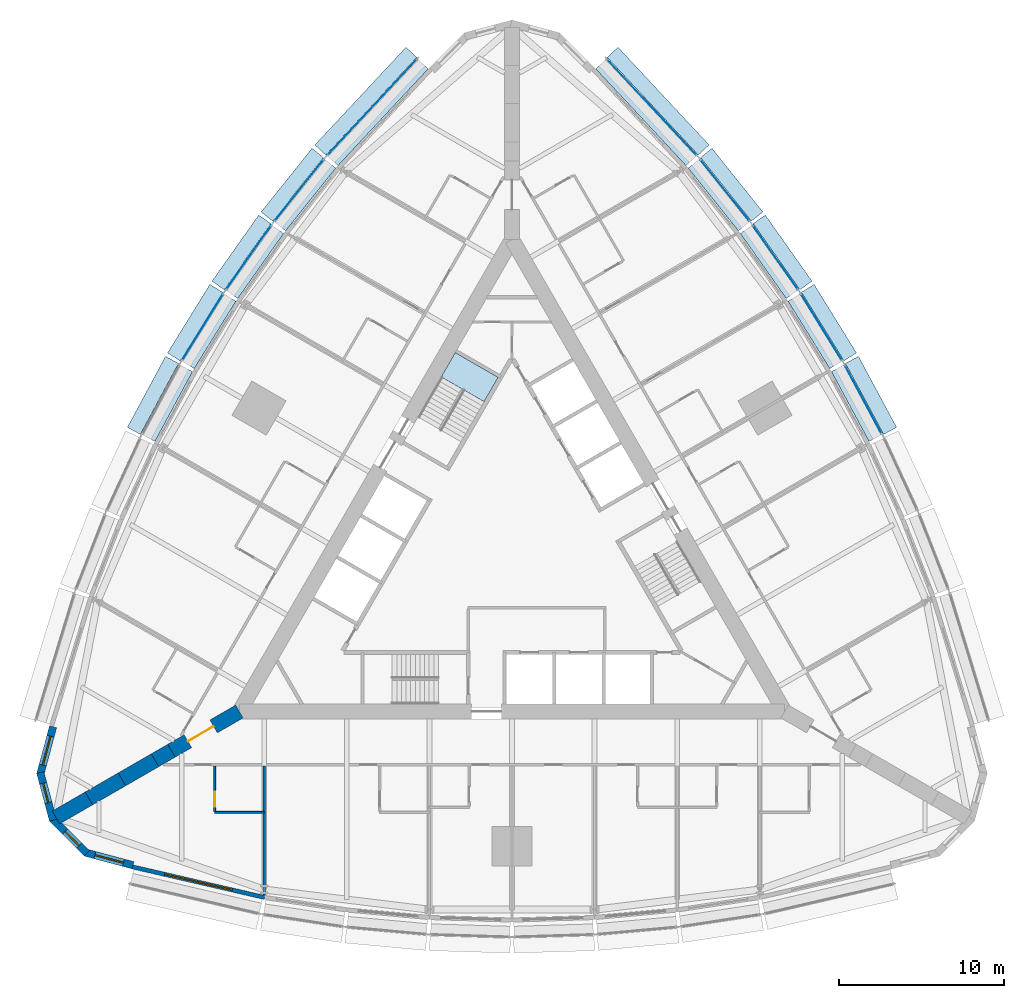
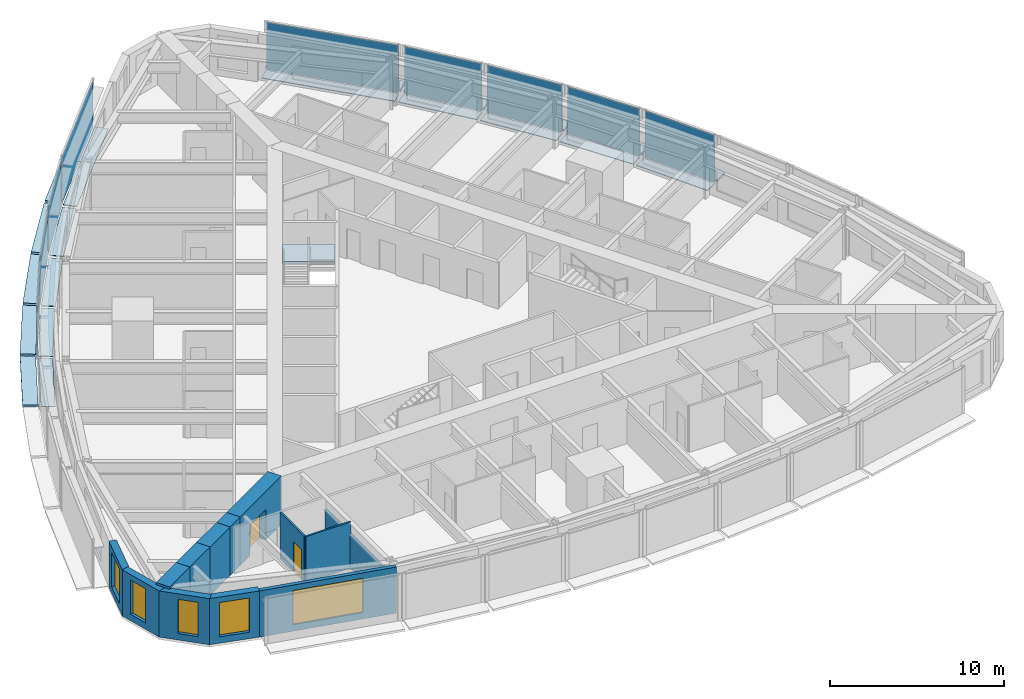
# One storey, part 7 of 14: 29 plates, 13 walls, 5 windows, 2 doors, 1 slab, 7 openings, 10 elements without a shape of their own.
"""IFC4 building model written with IfcOpenShell, lengths in metres."""

from ifc_helpers import new_model, si_unit, direction, frame, frame_2d, origin, origin_2d, place, context, subcontext, project, spatial, polyline, rectangle, outline, extrude, material, layer, layer_set, type_object, element, fill, aggregate, save


model = new_model("IFC4")

# Units and contexts
model_context = context("Model", 3, precision=1e-05, world=origin(), true_north=direction((0.0, 1.0)))
body_context = subcontext(model_context, "Body", "Model", "MODEL_VIEW")
ifc_project = project(units=[si_unit("LENGTHUNIT", "METRE"), si_unit("AREAUNIT", "SQUARE_METRE"), si_unit("VOLUMEUNIT", "CUBIC_METRE"), si_unit("PLANEANGLEUNIT", "RADIAN"), si_unit("MASSUNIT", "GRAM", prefix="KILO")], contexts=[model_context])

# Site, building, storey
site_placement = place(None, origin())
site = spatial("IfcSite", under=ifc_project, at=site_placement, CompositionType="ELEMENT")
building_placement = place(site_placement, origin())
building = spatial("IfcBuilding", under=site, at=building_placement, Name="Trikona Tower", CompositionType="ELEMENT")
storey_placement = place(building_placement, frame((0.0, 0.0, 89.699951171875)))
storey = spatial("IfcBuildingStorey", under=building, at=storey_placement, Name="L23", CompositionType="ELEMENT", Elevation=89.699951171875)

# Plates
ifc_material_1 = material(Name="Aluminium bar grating", Category="aluminium")
ifc_layer_1 = layer(ifc_material_1, 0.050048828125)
ifc_layer_set_1 = layer_set([ifc_layer_1], Name="Cavity catwalk grating")
plate_type_1 = type_object("IfcPlateType", Name="Cavity catwalk grating", PredefinedType="USERDEFINED", material=ifc_layer_set_1)
for number, where, z_axis, x_axis, name in (
    (1, (20.833740234375, 9.127197265625, -0.0498046875), (0.0, 0.0, 1.0), (-0.473422672721, 0.880835383572, 0.0), "Cavity catwalk L23-15"),
    (2, (18.3212890625, 13.47900390625, -0.0498046875), (0.0, 0.0, 1.0), (-0.526118935114, 0.85041099835, 0.0), "Cavity catwalk L23-16"),
):
    element("IfcPlate", number, at=place(storey_placement, frame(where, z_axis=z_axis, x_axis=x_axis)), inside=storey, type_object=plate_type_1, Name=name, ObjectType="CATWALK GRATING", PredefinedType="USERDEFINED", context=body_context, shape_type="SweptSolid", body=[
        extrude(rectangle(XDim=4.80224609375, YDim=0.820068359375, at=origin_2d()), origin(), (0.0, 0.0, 1.0), 0.050048828125),
    ])
plate_1_placement = place(storey_placement, frame((15.544189453125, 17.677734375, -0.0498046875), z_axis=(0.0, 0.0, 1.0), x_axis=(-0.576661909499, 0.816982889743, 0.0)))
element("IfcPlate", 3, at=plate_1_placement, inside=storey, type_object=plate_type_1, Name="Cavity catwalk L23-17", ObjectType="CATWALK GRATING", PredefinedType="USERDEFINED", context=body_context, shape_type="SweptSolid", body=[
    extrude(rectangle(XDim=4.82080078125, YDim=0.820068359375, at=origin_2d()), origin(), (0.0, 0.0, 1.0), 0.050048828125),
])
plate_2_placement = place(storey_placement, frame((12.502197265625, 21.72314453125, -0.0498046875), z_axis=(0.0, 0.0, 1.0), x_axis=(-0.624603618277, 0.780941944087, 0.0)))
element("IfcPlate", 4, at=plate_2_placement, inside=storey, type_object=plate_type_1, Name="Cavity catwalk L23-18", ObjectType="CATWALK GRATING", PredefinedType="USERDEFINED", context=body_context, shape_type="SweptSolid", body=[
    extrude(rectangle(XDim=4.857666015625, YDim=0.820068359375, at=origin_2d()), origin(), (0.0, 0.0, 1.0), 0.050048828125),
])
for number, where, z_axis, x_axis, name in (
    (5, (8.10107421875, 26.72314453125, -0.0498046875), (0.0, 0.0, 1.0), (-0.682298269147, 0.731073916864, 0.0), "Cavity catwalk L23-19"),
    (6, (-8.10107421875, 26.72314453125, -0.0498046875), (0.0, 0.0, 1.0), (-0.682298269147, -0.731073916864, 0.0), "Cavity catwalk L23-24"),
):
    element("IfcPlate", number, at=place(storey_placement, frame(where, z_axis=z_axis, x_axis=x_axis)), inside=storey, type_object=plate_type_1, Name=name, ObjectType="CATWALK GRATING", PredefinedType="USERDEFINED", context=body_context, shape_type="SweptSolid", body=[
        extrude(rectangle(XDim=8.01123046875, YDim=0.820068359375, at=origin_2d()), origin(), (0.0, 0.0, 1.0), 0.050048828125),
    ])
plate_3_placement = place(storey_placement, frame((-12.502197265625, 21.72314453125, -0.0498046875), z_axis=(0.0, 0.0, 1.0), x_axis=(-0.624603618277, -0.780941944087, 0.0)))
element("IfcPlate", 7, at=plate_3_placement, inside=storey, type_object=plate_type_1, Name="Cavity catwalk L23-25", ObjectType="CATWALK GRATING", PredefinedType="USERDEFINED", context=body_context, shape_type="SweptSolid", body=[
    extrude(rectangle(XDim=4.857666015625, YDim=0.820068359375, at=origin_2d()), origin(), (0.0, 0.0, 1.0), 0.050048828125),
])
plate_4_placement = place(storey_placement, frame((-15.544189453125, 17.677734375, -0.0498046875), z_axis=(0.0, 0.0, 1.0), x_axis=(-0.576661909499, -0.816982889743, 0.0)))
element("IfcPlate", 8, at=plate_4_placement, inside=storey, type_object=plate_type_1, Name="Cavity catwalk L23-26", ObjectType="CATWALK GRATING", PredefinedType="USERDEFINED", context=body_context, shape_type="SweptSolid", body=[
    extrude(rectangle(XDim=4.82080078125, YDim=0.820068359375, at=origin_2d()), origin(), (0.0, 0.0, 1.0), 0.050048828125),
])
for number, where, z_axis, x_axis, name in (
    (9, (-18.3212890625, 13.47900390625, -0.0498046875), (0.0, 0.0, 1.0), (-0.526118935114, -0.85041099835, 0.0), "Cavity catwalk L23-27"),
    (10, (-20.833740234375, 9.127197265625, -0.0498046875), (0.0, 0.0, 1.0), (-0.473422672721, -0.880835383572, 0.0), "Cavity catwalk L23-28"),
):
    element("IfcPlate", number, at=place(storey_placement, frame(where, z_axis=z_axis, x_axis=x_axis)), inside=storey, type_object=plate_type_1, Name=name, ObjectType="CATWALK GRATING", PredefinedType="USERDEFINED", context=body_context, shape_type="SweptSolid", body=[
        extrude(rectangle(XDim=4.80224609375, YDim=0.820068359375, at=origin_2d()), origin(), (0.0, 0.0, 1.0), 0.050048828125),
    ])

# Curtain wall, plate
ifc_material_2 = material(Name="Aluminium curtain wall system", Category="aluminium")
curtain_wall_type = type_object("IfcCurtainWallType", Name="Curtain wall DS1", PredefinedType="NOTDEFINED", material=ifc_material_2)
curtain_wall_1_placement = place(storey_placement, origin())
curtain_wall_1 = element("IfcCurtainWall", 11, at=curtain_wall_1_placement, inside=storey, type_object=curtain_wall_type, Name="Curtain wall DS1 L23", PredefinedType="NOTDEFINED")
ifc_material_3 = material(Name="Laminated clear glass", Category="glass")
ifc_layer_2 = layer(ifc_material_3, 0.028076171875)
ifc_layer_set_2 = layer_set([ifc_layer_2], Name="Glass panel DS1")
plate_type_2 = type_object("IfcPlateType", Name="Glass panel DS1", PredefinedType="CURTAIN_PANEL", material=ifc_layer_set_2)
plate_5_placement = place(storey_placement, frame((21.265380859375, 9.359130859375, 0.0), z_axis=(0.0, 0.0, 1.0), x_axis=(-0.473408350896, 0.880843080975, 0.0)))
plate_5 = element("IfcPlate", 12, at=plate_5_placement, type_object=plate_type_2, Name="CW-DS1 panel 1.1", PredefinedType="CURTAIN_PANEL", context=body_context, shape_type="SweptSolid", body=[
    extrude(rectangle(XDim=4.72216796875, YDim=0.028076171875, at=origin_2d()), origin(), (0.0, 0.0, 1.0), 3.320068359375),
])
aggregate(curtain_wall_1, [plate_5])

curtain_wall_2_placement = place(storey_placement, origin())
curtain_wall_2 = element("IfcCurtainWall", 13, at=curtain_wall_2_placement, inside=storey, type_object=curtain_wall_type, Name="Curtain wall DS1 L23", PredefinedType="NOTDEFINED")
plate_6_placement = place(storey_placement, frame((18.738037109375, 13.73681640625, 0.0), z_axis=(0.0, 0.0, 1.0), x_axis=(-0.526119790842, 0.850410468941, 0.0)))
plate_6 = element("IfcPlate", 14, at=plate_6_placement, type_object=plate_type_2, Name="CW-DS1 panel 1.1", PredefinedType="CURTAIN_PANEL", context=body_context, shape_type="SweptSolid", body=[
    extrude(rectangle(XDim=4.722412109375, YDim=0.028076171875, at=origin_2d()), origin(), (0.0, 0.0, 1.0), 3.320068359375),
])
aggregate(curtain_wall_2, [plate_6])

curtain_wall_3_placement = place(storey_placement, origin())
curtain_wall_3 = element("IfcCurtainWall", 15, at=curtain_wall_3_placement, inside=storey, type_object=curtain_wall_type, Name="Curtain wall DS1 L23", PredefinedType="NOTDEFINED")
plate_7_placement = place(storey_placement, frame((15.9443359375, 17.960205078125, 0.0), z_axis=(0.0, 0.0, 1.0), x_axis=(-0.576658362928, 0.816985393055, 0.0)))
plate_7 = element("IfcPlate", 16, at=plate_7_placement, type_object=plate_type_2, Name="CW-DS1 panel 1.1", PredefinedType="CURTAIN_PANEL", context=body_context, shape_type="SweptSolid", body=[
    extrude(rectangle(XDim=4.74072265625, YDim=0.028076171875, at=origin_2d()), origin(), (0.0, 0.0, 1.0), 3.320068359375),
])
aggregate(curtain_wall_3, [plate_7])

curtain_wall_4_placement = place(storey_placement, origin())
curtain_wall_4 = element("IfcCurtainWall", 17, at=curtain_wall_4_placement, inside=storey, type_object=curtain_wall_type, Name="Curtain wall DS1 L23", PredefinedType="NOTDEFINED")
plate_8_placement = place(storey_placement, frame((12.884765625, 22.029296875, 0.0), z_axis=(0.0, 0.0, 1.0), x_axis=(-0.624608599951, 0.780937959679, 0.0)))
plate_8 = element("IfcPlate", 18, at=plate_8_placement, type_object=plate_type_2, Name="CW-DS1 panel 1.1", PredefinedType="CURTAIN_PANEL", context=body_context, shape_type="SweptSolid", body=[
    extrude(rectangle(XDim=4.777587890625, YDim=0.028076171875, at=origin_2d()), origin(), (0.0, 0.0, 1.0), 3.320068359375),
])
aggregate(curtain_wall_4, [plate_8])

curtain_wall_5_placement = place(storey_placement, origin())
curtain_wall_5 = element("IfcCurtainWall", 19, at=curtain_wall_5_placement, inside=storey, type_object=curtain_wall_type, Name="Curtain wall DS1 L23", PredefinedType="NOTDEFINED")
plate_9_placement = place(storey_placement, frame((8.459228515625, 27.057373046875, 0.0), z_axis=(0.0, 0.0, 1.0), x_axis=(-0.682295351967, 0.731076639405, 0.0)))
plate_9 = element("IfcPlate", 20, at=plate_9_placement, type_object=plate_type_2, Name="CW-DS1 panel 1.1", PredefinedType="CURTAIN_PANEL", context=body_context, shape_type="SweptSolid", body=[
    extrude(rectangle(XDim=7.93115234375, YDim=0.028076171875, at=origin_2d()), origin(), (0.0, 0.0, 1.0), 3.320068359375),
])
aggregate(curtain_wall_5, [plate_9])

curtain_wall_6_placement = place(storey_placement, origin())
curtain_wall_6 = element("IfcCurtainWall", 21, at=curtain_wall_6_placement, inside=storey, type_object=curtain_wall_type, Name="Curtain wall DS1 L23", PredefinedType="NOTDEFINED")
plate_10_placement = place(storey_placement, frame((-8.459228515625, 27.057373046875, 0.0), z_axis=(0.0, 0.0, 1.0), x_axis=(-0.682295351967, -0.731076639405, 0.0)))
plate_10 = element("IfcPlate", 22, at=plate_10_placement, type_object=plate_type_2, Name="CW-DS1 panel 1.1", PredefinedType="CURTAIN_PANEL", context=body_context, shape_type="SweptSolid", body=[
    extrude(rectangle(XDim=7.93115234375, YDim=0.028076171875, at=origin_2d()), origin(), (0.0, 0.0, 1.0), 3.320068359375),
])
aggregate(curtain_wall_6, [plate_10])

curtain_wall_7_placement = place(storey_placement, origin())
curtain_wall_7 = element("IfcCurtainWall", 23, at=curtain_wall_7_placement, inside=storey, type_object=curtain_wall_type, Name="Curtain wall DS1 L23", PredefinedType="NOTDEFINED")
plate_11_placement = place(storey_placement, frame((-12.884765625, 22.029296875, 0.0), z_axis=(0.0, 0.0, 1.0), x_axis=(-0.624608599951, -0.780937959679, 0.0)))
plate_11 = element("IfcPlate", 24, at=plate_11_placement, type_object=plate_type_2, Name="CW-DS1 panel 1.1", PredefinedType="CURTAIN_PANEL", context=body_context, shape_type="SweptSolid", body=[
    extrude(rectangle(XDim=4.777587890625, YDim=0.028076171875, at=origin_2d()), origin(), (0.0, 0.0, 1.0), 3.320068359375),
])
aggregate(curtain_wall_7, [plate_11])

curtain_wall_8_placement = place(storey_placement, origin())
curtain_wall_8 = element("IfcCurtainWall", 25, at=curtain_wall_8_placement, inside=storey, type_object=curtain_wall_type, Name="Curtain wall DS1 L23", PredefinedType="NOTDEFINED")
plate_12_placement = place(storey_placement, frame((-15.9443359375, 17.960205078125, 0.0), z_axis=(0.0, 0.0, 1.0), x_axis=(-0.576658362928, -0.816985393055, 0.0)))
plate_12 = element("IfcPlate", 26, at=plate_12_placement, type_object=plate_type_2, Name="CW-DS1 panel 1.1", PredefinedType="CURTAIN_PANEL", context=body_context, shape_type="SweptSolid", body=[
    extrude(rectangle(XDim=4.74072265625, YDim=0.028076171875, at=origin_2d()), origin(), (0.0, 0.0, 1.0), 3.320068359375),
])
aggregate(curtain_wall_8, [plate_12])

curtain_wall_9_placement = place(storey_placement, origin())
curtain_wall_9 = element("IfcCurtainWall", 27, at=curtain_wall_9_placement, inside=storey, type_object=curtain_wall_type, Name="Curtain wall DS1 L23", PredefinedType="NOTDEFINED")
plate_13_placement = place(storey_placement, frame((-18.738037109375, 13.73681640625, 0.0), z_axis=(0.0, 0.0, 1.0), x_axis=(-0.526119790842, -0.850410468941, 0.0)))
plate_13 = element("IfcPlate", 28, at=plate_13_placement, type_object=plate_type_2, Name="CW-DS1 panel 1.1", PredefinedType="CURTAIN_PANEL", context=body_context, shape_type="SweptSolid", body=[
    extrude(rectangle(XDim=4.722412109375, YDim=0.028076171875, at=origin_2d()), origin(), (0.0, 0.0, 1.0), 3.320068359375),
])
aggregate(curtain_wall_9, [plate_13])

# Plates
ifc_material_4 = material(Name="Aluminium plate fin, pale anodised, on stainless steel outriggers", Category="steel")
ifc_layer_3 = layer(ifc_material_4, 0.14990234375)
ifc_layer_set_3 = layer_set([ifc_layer_3], Name="Outer skin fin 900")
plate_type_3 = type_object("IfcPlateType", Name="Outer skin fin 900", PredefinedType="USERDEFINED", material=ifc_layer_set_3)
for number, where, z_axis, x_axis, name in (
    (29, (21.732421875, 9.610107421875, 0.0), (0.0, 0.0, 1.0), (-0.473422672721, 0.880835383572, 0.0), "Outer skin fin L23-15"),
    (30, (19.188720703125, 14.015625, 0.0), (0.0, 0.0, 1.0), (-0.526118935114, 0.85041099835, 0.0), "Outer skin fin L23-16"),
):
    element("IfcPlate", number, at=place(storey_placement, frame(where, z_axis=z_axis, x_axis=x_axis)), inside=storey, type_object=plate_type_3, Name=name, ObjectType="FIN", PredefinedType="USERDEFINED", context=body_context, shape_type="SweptSolid", body=[
        extrude(rectangle(XDim=4.88232421875, YDim=0.89990234375, at=origin_2d()), origin(), (0.0, 0.0, 1.0), 0.14990234375),
    ])
plate_14_placement = place(storey_placement, frame((16.37744140625, 18.265869140625, 0.0), z_axis=(0.0, 0.0, 1.0), x_axis=(-0.576661909499, 0.816982889743, 0.0)))
element("IfcPlate", 31, at=plate_14_placement, inside=storey, type_object=plate_type_3, Name="Outer skin fin L23-17", ObjectType="FIN", PredefinedType="USERDEFINED", context=body_context, shape_type="SweptSolid", body=[
    extrude(rectangle(XDim=4.90087890625, YDim=0.89990234375, at=origin_2d()), origin(), (0.0, 0.0, 1.0), 0.14990234375),
])
plate_15_placement = place(storey_placement, frame((13.298583984375, 22.360107421875, 0.0), z_axis=(0.0, 0.0, 1.0), x_axis=(-0.624603618277, 0.780941944087, 0.0)))
element("IfcPlate", 32, at=plate_15_placement, inside=storey, type_object=plate_type_3, Name="Outer skin fin L23-18", ObjectType="FIN", PredefinedType="USERDEFINED", context=body_context, shape_type="SweptSolid", body=[
    extrude(rectangle(XDim=4.9375, YDim=0.89990234375, at=origin_2d()), origin(), (0.0, 0.0, 1.0), 0.14990234375),
])
for number, where, z_axis, x_axis, name in (
    (33, (8.8466796875, 27.419189453125, 0.0), (0.0, 0.0, 1.0), (-0.682298269147, 0.731073916864, 0.0), "Outer skin fin L23-19"),
    (34, (-8.8466796875, 27.419189453125, 0.0), (0.0, 0.0, 1.0), (-0.682298269147, -0.731073916864, 0.0), "Outer skin fin L23-24"),
):
    element("IfcPlate", number, at=place(storey_placement, frame(where, z_axis=z_axis, x_axis=x_axis)), inside=storey, type_object=plate_type_3, Name=name, ObjectType="FIN", PredefinedType="USERDEFINED", context=body_context, shape_type="SweptSolid", body=[
        extrude(rectangle(XDim=8.09130859375, YDim=0.89990234375, at=origin_2d()), origin(), (0.0, 0.0, 1.0), 0.14990234375),
    ])
plate_16_placement = place(storey_placement, frame((-13.298583984375, 22.360107421875, 0.0), z_axis=(0.0, 0.0, 1.0), x_axis=(-0.624603618277, -0.780941944087, 0.0)))
element("IfcPlate", 35, at=plate_16_placement, inside=storey, type_object=plate_type_3, Name="Outer skin fin L23-25", ObjectType="FIN", PredefinedType="USERDEFINED", context=body_context, shape_type="SweptSolid", body=[
    extrude(rectangle(XDim=4.9375, YDim=0.89990234375, at=origin_2d()), origin(), (0.0, 0.0, 1.0), 0.14990234375),
])
plate_17_placement = place(storey_placement, frame((-16.37744140625, 18.265869140625, 0.0), z_axis=(0.0, 0.0, 1.0), x_axis=(-0.576661909499, -0.816982889743, 0.0)))
element("IfcPlate", 36, at=plate_17_placement, inside=storey, type_object=plate_type_3, Name="Outer skin fin L23-26", ObjectType="FIN", PredefinedType="USERDEFINED", context=body_context, shape_type="SweptSolid", body=[
    extrude(rectangle(XDim=4.90087890625, YDim=0.89990234375, at=origin_2d()), origin(), (0.0, 0.0, 1.0), 0.14990234375),
])
for number, where, z_axis, x_axis, name in (
    (37, (-19.188720703125, 14.015625, 0.0), (0.0, 0.0, 1.0), (-0.526118935114, -0.85041099835, 0.0), "Outer skin fin L23-27"),
    (38, (-21.732421875, 9.610107421875, 0.0), (0.0, 0.0, 1.0), (-0.473422672721, -0.880835383572, 0.0), "Outer skin fin L23-28"),
):
    element("IfcPlate", number, at=place(storey_placement, frame(where, z_axis=z_axis, x_axis=x_axis)), inside=storey, type_object=plate_type_3, Name=name, ObjectType="FIN", PredefinedType="USERDEFINED", context=body_context, shape_type="SweptSolid", body=[
        extrude(rectangle(XDim=4.88232421875, YDim=0.89990234375, at=origin_2d()), origin(), (0.0, 0.0, 1.0), 0.14990234375),
    ])

# Stair, slab
ifc_material_5 = material(Name="Concrete f'c 5000 psi", Category="concrete")
stair_type = type_object("IfcStairType", Name="Core stair", PredefinedType="HALF_TURN_STAIR", material=ifc_material_5)
stair_placement = place(storey_placement, origin())
stair = element("IfcStair", 39, at=stair_placement, inside=storey, type_object=stair_type, Name="Stair C L23", PredefinedType="HALF_TURN_STAIR")
ifc_material_6 = material(Name="Concrete f'c 5000 psi", Category="concrete")
ifc_layer_4 = layer(ifc_material_6, 0.199951171875)
ifc_layer_set_4 = layer_set([ifc_layer_4], Name="Stair landing 200")
slab_type = type_object("IfcSlabType", Name="Stair landing 200", PredefinedType="LANDING", material=ifc_layer_set_4)
slab_placement = place(storey_placement, frame((0.0, 0.0, 1.5)))
slab = element("IfcSlab", 40, at=slab_placement, type_object=slab_type, Name="ST-C landing 2", PredefinedType="LANDING", context=body_context, shape_type="SweptSolid", body=[
    extrude(outline(polyline([(-0.837158203125, 10.702392578125), (-1.688720703125, 9.2275390625), (-4.286865234375, 10.7275390625), (-3.435302734375, 12.202392578125), (-0.837158203125, 10.702392578125)])), origin(), (0.0, 0.0, 1.0), 0.199951171875),
])
aggregate(stair, [slab])

# Wall
ifc_material_7 = material(Name="Metal stud and cement board", Category="gypsum")
ifc_layer_5 = layer(ifc_material_7, 0.1201171875)
ifc_layer_set_5 = layer_set([ifc_layer_5], Name="Bathroom wall 120")
wall_type_1 = type_object("IfcWallType", Name="Bathroom wall 120", PredefinedType="PLUMBINGWALL", material=ifc_layer_set_5)
wall_1_placement = place(storey_placement, frame((-18.0, -15.626220703125, 0.0), z_axis=(0.0, 0.0, 1.0), x_axis=(1.0, 0.0, 0.0)))
element("IfcWall", 41, at=wall_1_placement, inside=storey, type_object=wall_type_1, Name="Bathroom wall 2301", PredefinedType="PLUMBINGWALL", context=body_context, shape_type="SweptSolid", body=[
    extrude(rectangle(XDim=3.0, YDim=0.1201171875, at=frame_2d((1.5, 0.0))), origin(), (0.0, 0.0, 1.0), 3.235107421875),
])

# Wall, opening, door
wall_2_placement = place(storey_placement, frame((-18.0, -12.826416015625, 0.0), z_axis=(0.0, 0.0, 1.0), x_axis=(0.0, -1.0, 0.0)))
wall_2 = element("IfcWall", 42, at=wall_2_placement, inside=storey, type_object=wall_type_1, Name="Bathroom wall 2301", PredefinedType="PLUMBINGWALL", context=body_context, shape_type="SweptSolid", body=[
    extrude(rectangle(XDim=2.739990234375, YDim=0.1201171875, at=frame_2d((1.3701171875, 0.0))), origin(), (0.0, 0.0, 1.0), 3.235107421875),
])
opening_1_placement = place(wall_2_placement, frame((1.550048828125, 0.0, 0.0)))
opening_1 = element("IfcOpeningElement", 43, at=opening_1_placement, cuts=wall_2, Name="Opening D2", PredefinedType="OPENING", context=body_context, shape_type="SweptSolid", body=[
    extrude(rectangle(XDim=0.89990234375, YDim=2.1298828125, at=frame_2d((0.449951171875, 1.06494140625))), frame((0.0, 0.070068359375, 0.0), z_axis=(0.0, -1.0, 0.0), x_axis=(1.0, 0.0, 0.0)), (0.0, 0.0, 1.0), 0.14013671875),
])
ifc_material_8 = material(Name="Steel door frame with solid-core timber leaf", Category="steel")
door_type_1 = type_object("IfcDoorType", Name="Bathroom door 900x2130", OperationType="SLIDING_TO_LEFT", PredefinedType="DOOR", material=ifc_material_8)
door_1_placement = place(opening_1_placement, origin())
door_1 = element("IfcDoor", 44, at=door_1_placement, inside=storey, type_object=door_type_1, Name="Bathroom door 2301", OperationType="SLIDING_TO_LEFT", OverallHeight=2.1298828125, OverallWidth=0.89990234375, PredefinedType="DOOR", context=body_context, shape_type="SweptSolid", body=[
    extrude(rectangle(XDim=0.89990234375, YDim=2.1298828125, at=frame_2d((0.449951171875, 1.06494140625))), frame((0.0, 0.02490234375, 0.0), z_axis=(0.0, -1.0, 0.0), x_axis=(1.0, 0.0, 0.0)), (0.0, 0.0, 1.0), 0.050048828125),
])
fill(opening_1, door_1)

# Wall, opening, window
ifc_material_9 = material(Name="Brick-faced precast concrete", Category="masonry")
ifc_layer_6 = layer(ifc_material_9, 0.449951171875)
ifc_layer_set_6 = layer_set([ifc_layer_6], Name="Brick-faced corner wall 450")
wall_type_2 = type_object("IfcWallType", Name="Brick-faced corner wall 450", PredefinedType="SOLIDWALL", material=ifc_layer_set_6)
wall_3_placement = place(storey_placement, frame((-27.78271484375, -10.450439453125, 0.0), z_axis=(0.0, 0.0, 1.0), x_axis=(-0.258780998834, -0.965936019953, 0.0)))
wall_3 = element("IfcWall", 45, at=wall_3_placement, inside=storey, type_object=wall_type_2, Name="External wall L23-32", PredefinedType="SOLIDWALL", context=body_context, shape_type="SweptSolid", body=[
    extrude(rectangle(XDim=2.98876953125, YDim=0.449951171875, at=frame_2d((1.494384765625, 0.0))), origin(), (0.0, 0.0, 1.0), 3.235107421875),
])
opening_2_placement = place(wall_3_placement, frame((0.59423828125, 0.0, 0.449951171875)))
opening_2 = element("IfcOpeningElement", 46, at=opening_2_placement, cuts=wall_3, Name="Opening W1824", PredefinedType="OPENING", context=body_context, shape_type="SweptSolid", body=[
    extrude(rectangle(XDim=1.800048828125, YDim=2.39990234375, at=frame_2d((0.89990234375, 1.199951171875))), frame((0.0, 0.23486328125, 0.0), z_axis=(0.0, -1.0, 0.0), x_axis=(1.0, 0.0, 0.0)), (0.0, 0.0, 1.0), 0.469970703125),
])
ifc_material_10 = material(Name="Aluminium-framed double glazing", Category="aluminium")
window_type_1 = type_object("IfcWindowType", Name="Window 1800x2400", PartitioningType="SINGLE_PANEL", PredefinedType="WINDOW", material=ifc_material_10)
window_1_placement = place(opening_2_placement, origin())
window_1 = element("IfcWindow", 47, at=window_1_placement, inside=storey, type_object=window_type_1, Name="Window 2316", OverallHeight=2.39990234375, OverallWidth=1.800048828125, PartitioningType="SINGLE_PANEL", PredefinedType="WINDOW", context=body_context, shape_type="SweptSolid", body=[
    extrude(rectangle(XDim=1.800048828125, YDim=2.39990234375, at=frame_2d((0.89990234375, 1.199951171875))), frame((0.0, 0.030029296875, 0.0), z_axis=(0.0, -1.0, 0.0), x_axis=(1.0, 0.0, 0.0)), (0.0, 0.0, 1.0), 0.06005859375),
])
fill(opening_2, window_1)

wall_4_placement = place(storey_placement, frame((-28.55615234375, -13.220947265625, 0.0), z_axis=(0.0, 0.0, 1.0), x_axis=(0.258801419081, -0.965930548995, 0.0)))
wall_4 = element("IfcWall", 48, at=wall_4_placement, inside=storey, type_object=wall_type_2, Name="External wall L23-33", PredefinedType="SOLIDWALL", context=body_context, shape_type="SweptSolid", body=[
    extrude(outline(polyline([(2.988525390625, 0.22509765625), (2.928955078125, 0.22509765625), (2.437255859375, 0.09326171875), (2.402099609375, 0.22509765625), (0.0, 0.22509765625), (0.0, -0.22509765625), (2.988525390625, -0.22509765625), (2.988525390625, 0.22509765625)])), origin(), (0.0, 0.0, 1.0), 3.235107421875),
])
opening_3_placement = place(wall_4_placement, frame((0.676025390625, 0.0, 0.449951171875)))
opening_3 = element("IfcOpeningElement", 49, at=opening_3_placement, cuts=wall_4, Name="Opening W1224", PredefinedType="OPENING", context=body_context, shape_type="SweptSolid", body=[
    extrude(rectangle(XDim=1.199951171875, YDim=2.39990234375, at=frame_2d((0.60009765625, 1.199951171875))), frame((0.0, 0.23486328125, 0.0), z_axis=(0.0, -1.0, 0.0), x_axis=(1.0, 0.0, 0.0)), (0.0, 0.0, 1.0), 0.469970703125),
])
ifc_material_11 = material(Name="Aluminium-framed double glazing", Category="aluminium")
window_type_2 = type_object("IfcWindowType", Name="Window 1200x2400", PartitioningType="SINGLE_PANEL", PredefinedType="WINDOW", material=ifc_material_11)
window_2_placement = place(opening_3_placement, origin())
window_2 = element("IfcWindow", 50, at=window_2_placement, inside=storey, type_object=window_type_2, Name="Window 2316", OverallHeight=2.39990234375, OverallWidth=1.199951171875, PartitioningType="SINGLE_PANEL", PredefinedType="WINDOW", context=body_context, shape_type="SweptSolid", body=[
    extrude(rectangle(XDim=1.199951171875, YDim=2.39990234375, at=frame_2d((0.60009765625, 1.199951171875))), frame((0.0, 0.030029296875, 0.0), z_axis=(0.0, -1.0, 0.0), x_axis=(1.0, 0.0, 0.0)), (0.0, 0.0, 1.0), 0.06005859375),
])
fill(opening_3, window_2)

wall_5_placement = place(storey_placement, frame((-27.8408203125, -16.006591796875, 0.0), z_axis=(0.0, 0.0, 1.0), x_axis=(0.707025086683, -0.707188466253, 0.0)))
wall_5 = element("IfcWall", 51, at=wall_5_placement, inside=storey, type_object=wall_type_2, Name="External wall L23-34", PredefinedType="SOLIDWALL", context=body_context, shape_type="SweptSolid", body=[
    extrude(outline(polyline([(2.988525390625, 0.22509765625), (0.58642578125, 0.22509765625), (0.551025390625, 0.093017578125), (0.058837890625, 0.22509765625), (0.0, 0.22509765625), (0.0, -0.22509765625), (2.988525390625, -0.22509765625), (2.988525390625, 0.22509765625)])), origin(), (0.0, 0.0, 1.0), 3.235107421875),
])
opening_4_placement = place(wall_5_placement, frame((1.112548828125, 0.0, 0.449951171875)))
opening_4 = element("IfcOpeningElement", 52, at=opening_4_placement, cuts=wall_5, Name="Opening W1224", PredefinedType="OPENING", context=body_context, shape_type="SweptSolid", body=[
    extrude(rectangle(XDim=1.199951171875, YDim=2.39990234375, at=frame_2d((0.60009765625, 1.199951171875))), frame((0.0, 0.23486328125, 0.0), z_axis=(0.0, -1.0, 0.0), x_axis=(1.0, 0.0, 0.0)), (0.0, 0.0, 1.0), 0.469970703125),
])
window_3_placement = place(opening_4_placement, origin())
window_3 = element("IfcWindow", 53, at=window_3_placement, inside=storey, type_object=window_type_2, Name="Window 2301", OverallHeight=2.39990234375, OverallWidth=1.199951171875, PartitioningType="SINGLE_PANEL", PredefinedType="WINDOW", context=body_context, shape_type="SweptSolid", body=[
    extrude(rectangle(XDim=1.199951171875, YDim=2.39990234375, at=frame_2d((0.60009765625, 1.199951171875))), frame((0.0, 0.030029296875, 0.0), z_axis=(0.0, -1.0, 0.0), x_axis=(1.0, 0.0, 0.0)), (0.0, 0.0, 1.0), 0.06005859375),
])
fill(opening_4, window_3)

wall_6_placement = place(storey_placement, frame((-25.82861328125, -18.061767578125, 0.0), z_axis=(0.0, 0.0, 1.0), x_axis=(0.965930548995, -0.258801419081, 0.0)))
wall_6 = element("IfcWall", 54, at=wall_6_placement, inside=storey, type_object=wall_type_2, Name="External wall L23-35", PredefinedType="SOLIDWALL", context=body_context, shape_type="SweptSolid", body=[
    extrude(rectangle(XDim=2.988525390625, YDim=0.449951171875, at=frame_2d((1.494140625, 0.0))), origin(), (0.0, 0.0, 1.0), 3.235107421875),
])
opening_5_placement = place(wall_6_placement, frame((0.59423828125, 0.0, 0.449951171875)))
opening_5 = element("IfcOpeningElement", 55, at=opening_5_placement, cuts=wall_6, Name="Opening W1824", PredefinedType="OPENING", context=body_context, shape_type="SweptSolid", body=[
    extrude(rectangle(XDim=1.800048828125, YDim=2.39990234375, at=frame_2d((0.89990234375, 1.199951171875))), frame((0.0, 0.23486328125, 0.0), z_axis=(0.0, -1.0, 0.0), x_axis=(1.0, 0.0, 0.0)), (0.0, 0.0, 1.0), 0.469970703125),
])
window_4_placement = place(opening_5_placement, origin())
window_4 = element("IfcWindow", 56, at=window_4_placement, inside=storey, type_object=window_type_1, Name="Window 2301", OverallHeight=2.39990234375, OverallWidth=1.800048828125, PartitioningType="SINGLE_PANEL", PredefinedType="WINDOW", context=body_context, shape_type="SweptSolid", body=[
    extrude(rectangle(XDim=1.800048828125, YDim=2.39990234375, at=frame_2d((0.89990234375, 1.199951171875))), frame((0.0, 0.030029296875, 0.0), z_axis=(0.0, -1.0, 0.0), x_axis=(1.0, 0.0, 0.0)), (0.0, 0.0, 1.0), 0.06005859375),
])
fill(opening_5, window_4)

# Wall, opening, door
ifc_material_12 = material(Name="Concrete f'c 10000 psi", Category="concrete")
ifc_layer_7 = layer(ifc_material_12, 0.89990234375)
ifc_layer_set_7 = layer_set([ifc_layer_7], Name="Buttress wall 900")
wall_type_3 = type_object("IfcWallType", Name="Buttress wall 900", PredefinedType="SHEAR", material=ifc_layer_set_7)
wall_7_placement = place(storey_placement, frame((-16.5, -9.5263671875, 0.0), z_axis=(0.0, 0.0, 1.0), x_axis=(-0.866031398331, -0.499989616998, 0.0)))
wall_7 = element("IfcWall", 57, at=wall_7_placement, inside=storey, type_object=wall_type_3, Name="Buttress wall 3", PredefinedType="SHEAR", context=body_context, shape_type="SweptSolid", body=[
    extrude(rectangle(XDim=4.74609375, YDim=0.89990234375, at=frame_2d((2.373046875, 0.0))), origin(), (0.0, 0.0, 1.0), 3.400146484375),
])
opening_6_placement = place(wall_7_placement, frame((1.800048828125, 0.0, 0.0)))
opening_6 = element("IfcOpeningElement", 58, at=opening_6_placement, cuts=wall_7, Name="Opening D10", PredefinedType="OPENING", context=body_context, shape_type="SweptSolid", body=[
    extrude(rectangle(XDim=1.800048828125, YDim=2.1298828125, at=frame_2d((0.89990234375, 1.06494140625))), frame((0.0, 0.4599609375, 0.0), z_axis=(0.0, -1.0, 0.0), x_axis=(1.0, 0.0, 0.0)), (0.0, 0.0, 1.0), 0.919921875),
])
ifc_material_13 = material(Name="Hollow metal door and frame", Category="steel")
door_type_2 = type_object("IfcDoorType", Name="Cross-corridor door pair 1800x2130", OperationType="DOUBLE_DOOR_DOUBLE_SWING", PredefinedType="DOOR", material=ifc_material_13)
door_2_placement = place(opening_6_placement, origin())
door_2 = element("IfcDoor", 59, at=door_2_placement, inside=storey, type_object=door_type_2, Name="Cross-corridor door 3", OperationType="DOUBLE_DOOR_DOUBLE_SWING", OverallHeight=2.1298828125, OverallWidth=1.800048828125, PredefinedType="DOOR", context=body_context, shape_type="SweptSolid", body=[
    extrude(rectangle(XDim=1.800048828125, YDim=2.1298828125, at=frame_2d((0.89990234375, 1.06494140625))), frame((0.0, 0.02490234375, 0.0), z_axis=(0.0, -1.0, 0.0), x_axis=(1.0, 0.0, 0.0)), (0.0, 0.0, 1.0), 0.050048828125),
])
fill(opening_6, door_2)

# Walls
wall_8_placement = place(storey_placement, frame((-20.6103515625, -11.8994140625, 0.0), z_axis=(0.0, 0.0, 1.0), x_axis=(-0.866009537788, -0.500027479704, 0.0)))
element("IfcWall", 60, at=wall_8_placement, inside=storey, type_object=wall_type_3, Name="Buttress wall 3 part 2", PredefinedType="SHEAR", context=body_context, shape_type="SweptSolid", body=[
    extrude(rectangle(XDim=1.15478515625, YDim=0.89990234375, at=frame_2d((0.577392578125, 0.0))), origin(), (0.0, 0.0, 1.0), 3.400146484375),
])
for number, where, z_axis, x_axis, name in (
    (61, (-21.6103515625, -12.476806640625, 0.0), (0.0, 0.0, 1.0), (-0.866055313784, -0.499948190782, 0.0), "Buttress wall 3 part 3"),
    (62, (-23.6103515625, -13.63134765625, 0.0), (0.0, 0.0, 1.0), (-0.866009537788, -0.500027479704, 0.0), "Buttress wall 3 part 4"),
    (63, (-25.6103515625, -14.7861328125, 0.0), (0.0, 0.0, 1.0), (-0.866009537788, -0.500027479704, 0.0), "Buttress wall 3 part 5"),
):
    element("IfcWall", number, at=place(storey_placement, frame(where, z_axis=z_axis, x_axis=x_axis)), inside=storey, type_object=wall_type_3, Name=name, PredefinedType="SHEAR", context=body_context, shape_type="SweptSolid", body=[
        extrude(rectangle(XDim=2.309326171875, YDim=0.89990234375, at=frame_2d((1.15478515625, 0.0))), origin(), (0.0, 0.0, 1.0), 3.400146484375),
    ])

# Wall, opening, window
ifc_material_14 = material(Name="Insulated precast concrete spandrel panel", Category="concrete")
ifc_layer_8 = layer(ifc_material_14, 0.25)
ifc_layer_set_8 = layer_set([ifc_layer_8], Name="Inner skin wall 250")
wall_type_4 = type_object("IfcWallType", Name="Inner skin wall 250", PredefinedType="STANDARD", material=ifc_layer_set_8)
wall_9_placement = place(storey_placement, frame((-22.9716796875, -18.930908203125, 0.0), z_axis=(0.0, 0.0, 1.0), x_axis=(0.974279327392, -0.225343720163, 0.0)))
wall_9 = element("IfcWall", 64, at=wall_9_placement, inside=storey, type_object=wall_type_4, Name="External wall L23-00", PredefinedType="STANDARD", context=body_context, shape_type="SweptSolid", body=[
    extrude(rectangle(XDim=8.211181640625, YDim=0.25, at=frame_2d((4.10546875, 0.0))), origin(), (0.0, 0.0, 1.0), 3.235107421875),
])
opening_7_placement = place(wall_9_placement, frame((2.005615234375, 0.0, 0.449951171875)))
opening_7 = element("IfcOpeningElement", 65, at=opening_7_placement, cuts=wall_9, Name="Opening W4224", PredefinedType="OPENING", context=body_context, shape_type="SweptSolid", body=[
    extrude(rectangle(XDim=4.199951171875, YDim=2.39990234375, at=frame_2d((2.10009765625, 1.199951171875))), frame((0.0, 0.135009765625, 0.0), z_axis=(0.0, -1.0, 0.0), x_axis=(1.0, 0.0, 0.0)), (0.0, 0.0, 1.0), 0.27001953125),
])
ifc_material_15 = material(Name="Aluminium-framed double glazing", Category="aluminium")
window_type_3 = type_object("IfcWindowType", Name="Window 4200x2400", PartitioningType="SINGLE_PANEL", PredefinedType="WINDOW", material=ifc_material_15)
window_5_placement = place(opening_7_placement, origin())
window_5 = element("IfcWindow", 66, at=window_5_placement, inside=storey, type_object=window_type_3, Name="Window 2301", OverallHeight=2.39990234375, OverallWidth=4.199951171875, PartitioningType="SINGLE_PANEL", PredefinedType="WINDOW", context=body_context, shape_type="SweptSolid", body=[
    extrude(rectangle(XDim=4.199951171875, YDim=2.39990234375, at=frame_2d((2.10009765625, 1.199951171875))), frame((0.0, 0.030029296875, 0.0), z_axis=(0.0, -1.0, 0.0), x_axis=(1.0, 0.0, 0.0)), (0.0, 0.0, 1.0), 0.06005859375),
])
fill(opening_7, window_5)

# Wall
ifc_material_16 = material(Name="Metal stud and gypsum board, 1-hour acoustic", Category="gypsum")
ifc_layer_9 = layer(ifc_material_16, 0.14990234375)
ifc_layer_set_9 = layer_set([ifc_layer_9], Name="Party wall 150")
wall_type_5 = type_object("IfcWallType", Name="Party wall 150", PredefinedType="PARTITIONING", material=ifc_layer_set_9)
wall_10_placement = place(storey_placement, frame((-15.0, -12.826416015625, 0.0), z_axis=(0.0, 0.0, 1.0), x_axis=(0.0, -1.0, 0.0)))
element("IfcWall", 67, at=wall_10_placement, inside=storey, type_object=wall_type_5, Name="Partition L23 F1 u-15", PredefinedType="PARTITIONING", context=body_context, shape_type="SweptSolid", body=[
    extrude(rectangle(XDim=7.820068359375, YDim=0.14990234375, at=frame_2d((3.91015625, 0.0))), origin(), (0.0, 0.0, 1.0), 2.38916015625),
])

save(model, "model.ifc")
